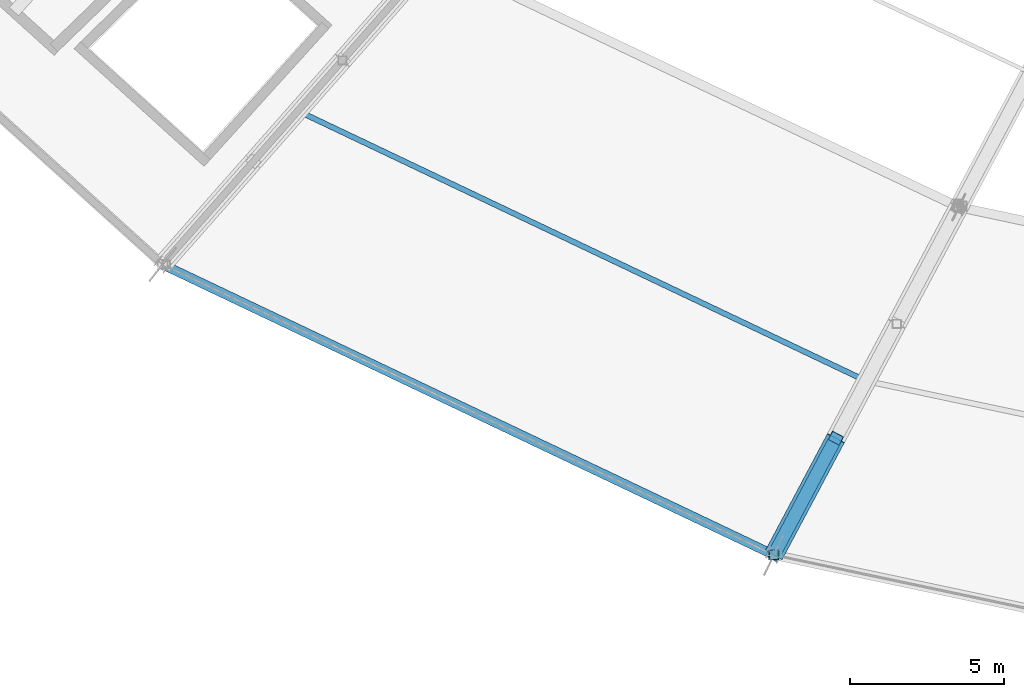
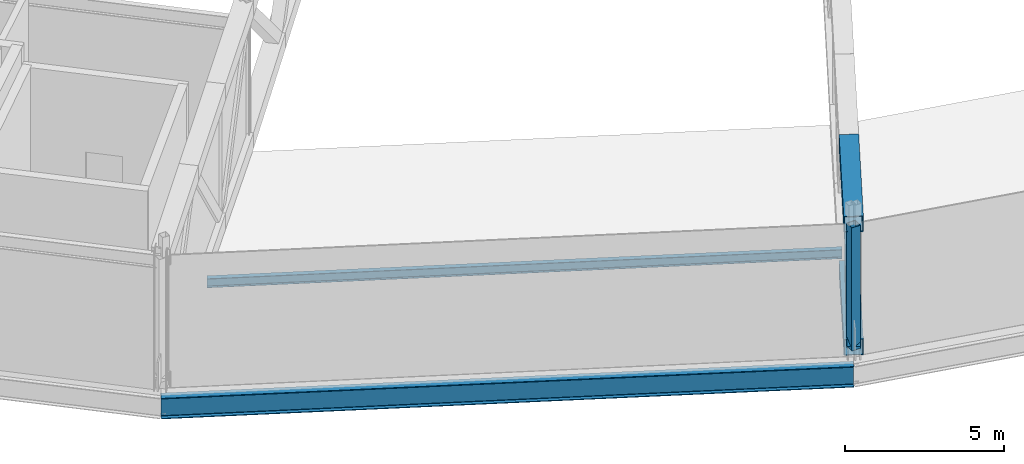
# One storey, part 15 of 162: 4 members, 2 beams.
"""IFC4 building model written with IfcOpenShell, lengths in metres."""

import ifcopenshell
import ifcopenshell.guid

model = None  # the IFC model being written
_history = None  # IfcOwnerHistory: only IFC2X3 demands one
_inside = {}  # id of a spatial element -> (the spatial element, [elements in it])
_under = {}  # id of a project, library or spatial element -> (it, [spatial elements below it])
_declared = {}  # id of a project -> (the project, [libraries it declares])
_typed = {}  # id of a type object -> (the type object, [elements of that type])
_made_of = {}  # id of a material, layer set ... -> (it, [elements and type objects made of it])


def new_model(schema):
    """Start an empty IFC model of exactly this schema.

    Asked for "IFC4X3", IfcOpenShell would pick the latest addendum, in which some entities
    have other attributes; the version numbers below select the first issue.
    IFC2X3 requires an IfcOwnerHistory on every rooted entity: one is made here for all.
    """
    global model, _history
    if schema == "IFC4X3":
        model = ifcopenshell.file(schema_version=(4, 3, 0, 0))
    else:
        model = ifcopenshell.file(schema=schema)
    _inside.clear()
    _under.clear()
    _declared.clear()
    _typed.clear()
    _made_of.clear()
    _history = None
    if model.schema == "IFC2X3":
        org = make("IfcOrganization", Name="unknown")
        user = make(
            "IfcPersonAndOrganization",
            ThePerson=make("IfcPerson", FamilyName="unknown"),
            TheOrganization=org,
        )
        app = make(
            "IfcApplication",
            ApplicationDeveloper=org,
            Version="unknown",
            ApplicationFullName="unknown",
            ApplicationIdentifier="unknown",
        )
        _history = make(
            "IfcOwnerHistory",
            OwningUser=user,
            OwningApplication=app,
            ChangeAction="ADDED",
            CreationDate=0,
        )
    return model


def make(cls, **values):
    """One entity of the class cls with the attributes given. An attribute that is None is left unset."""
    return model.create_entity(
        cls, **{name: value for name, value in values.items() if value is not None}
    )


def rooted(cls, **values):
    """An entity with a GlobalId (a new one), such as an element, a storey or a relation."""
    return make(cls, GlobalId=ifcopenshell.guid.new(), OwnerHistory=_history, **values)


def si_unit(unit_type, name, prefix=None):
    """IfcSIUnit, for example si_unit("LENGTHUNIT", "METRE", prefix="MILLI")."""
    return make("IfcSIUnit", UnitType=unit_type, Prefix=prefix, Name=name)


def assignment(units):
    """IfcUnitAssignment: the units of a project."""
    return None if units is None else make("IfcUnitAssignment", Units=units)


def point(xyz):
    """IfcCartesianPoint."""
    return None if xyz is None else make("IfcCartesianPoint", Coordinates=xyz)


def direction(xyz):
    """IfcDirection."""
    return None if xyz is None else make("IfcDirection", DirectionRatios=xyz)


def frame(location, z_axis=None, x_axis=None):
    """IfcAxis2Placement3D, a coordinate frame: its origin and axes. An axis left out is left unset."""
    return make(
        "IfcAxis2Placement3D",
        Location=point(location),
        Axis=direction(z_axis),
        RefDirection=direction(x_axis),
    )


def frame_2d(location, x_axis=None):
    """IfcAxis2Placement2D, a coordinate frame in the plane: its origin and x axis."""
    return make(
        "IfcAxis2Placement2D", Location=point(location), RefDirection=direction(x_axis)
    )


def origin():
    """The frame at (0, 0, 0) with its axes left unset."""
    return frame((0.0, 0.0, 0.0))


def origin_2d():
    """The frame at (0, 0) in the plane with its x axis left unset."""
    return frame_2d((0.0, 0.0))


def place(relative_to, where):
    """IfcLocalPlacement: puts the frame where relative to a parent placement (None: the world)."""
    return make(
        "IfcLocalPlacement", PlacementRelTo=relative_to, RelativePlacement=where
    )


def context(
    kind, dimensions, precision=None, world=None, true_north=None, identifier=None
):
    """IfcGeometricRepresentationContext, for example the 3D "Model" context."""
    return make(
        "IfcGeometricRepresentationContext",
        ContextIdentifier=identifier,
        ContextType=kind,
        CoordinateSpaceDimension=dimensions,
        Precision=precision,
        WorldCoordinateSystem=world,
        TrueNorth=true_north,
    )


def subcontext(parent, identifier, kind, view, scale=None):
    """IfcGeometricRepresentationSubContext, for example "Body" below "Model"."""
    return make(
        "IfcGeometricRepresentationSubContext",
        ContextIdentifier=identifier,
        ContextType=kind,
        ParentContext=parent,
        TargetScale=scale,
        TargetView=view,
    )


def project(units=None, contexts=None):
    """IfcProject with its units and contexts."""
    return rooted(
        "IfcProject",
        Name="project",
        RepresentationContexts=contexts,
        UnitsInContext=assignment(units),
    )


def spatial(cls, under=None, at=None, **own):
    """A site, building, storey or space (cls), placed at a placement, below another one or the project."""
    s = rooted(cls, ObjectPlacement=at, **own)
    if under is not None:
        _under.setdefault(under.id(), (under, []))[1].append(s)
    return s


def profile(cls, at=None, kind="AREA", **sizes):
    """A parametric profile (cls). Its sizes go by their IFC names, for example OverallWidth=200.0."""
    return make(cls, ProfileType=kind, Position=at, **sizes)


def hollow_rectangle(**sizes):
    """IfcRectangleHollowProfileDef."""
    return profile("IfcRectangleHollowProfileDef", **sizes)


def i_section(**sizes):
    """IfcIShapeProfileDef."""
    return profile("IfcIShapeProfileDef", **sizes)


def extrude(swept, where, along, depth):
    """IfcExtrudedAreaSolid: the profile swept, set in the frame where, extruded along a direction by depth."""
    return make(
        "IfcExtrudedAreaSolid",
        SweptArea=swept,
        Position=where,
        ExtrudedDirection=direction(along),
        Depth=depth,
    )


def shape(context_of_items, identifier, shape_type, items):
    """IfcShapeRepresentation: the items that make up one representation, for example the "Body"."""
    return make(
        "IfcShapeRepresentation",
        ContextOfItems=context_of_items,
        RepresentationIdentifier=identifier,
        RepresentationType=shape_type,
        Items=items,
    )


def material(Name=None, Category=None):
    """IfcMaterial."""
    return make("IfcMaterial", Name=Name, Category=Category)


def material_profile(
    of_material, cross_section, Name=None, Category=None, Priority=None
):
    """IfcMaterialProfile: a cross section and its material."""
    return make(
        "IfcMaterialProfile",
        Name=Name,
        Material=of_material,
        Profile=cross_section,
        Priority=Priority,
        Category=Category,
    )


def profile_set(profiles, Name=None, composite=None):
    """IfcMaterialProfileSet."""
    return make(
        "IfcMaterialProfileSet",
        Name=Name,
        MaterialProfiles=profiles,
        CompositeProfile=composite,
    )


def made_of(thing, what):
    """Note that an element or type object is made of a material, layer set ...; save() writes the relation."""
    if what is not None:
        _made_of.setdefault(what.id(), (what, []))[1].append(thing)
    return thing


def type_object(cls, material=None, **own):
    """A type object (cls), such as IfcWallType, which elements share."""
    return made_of(rooted(cls, **own), material)


def element(
    cls,
    number,
    at=None,
    inside=None,
    cuts=None,
    type_object=None,
    material=None,
    context=None,
    identifier="Body",
    shape_type=None,
    held_by="IfcProductDefinitionShape",
    body=None,
    shapes=None,
    **own,
):
    """One element of the class cls, such as IfcWall. Its Tag is "e" and its number.

    at: its placement. inside: the storey or other place that contains it. cuts: it is an
    opening in that element (IfcRelVoidsElement). A single representation is given by context,
    identifier, shape_type and body (its items); several are given by shapes. held_by: the class
    of the entity that holds the representations. save() writes the other relations.
    """
    e = rooted(cls, Tag="e%d" % number, ObjectPlacement=at, **own)
    if body is not None:
        shapes = [shape(context, identifier, shape_type, body)]
    if shapes is not None:
        e.Representation = make(held_by, Representations=shapes)
    if inside is not None:
        _inside.setdefault(inside.id(), (inside, []))[1].append(e)
    if cuts is not None:
        rooted(
            "IfcRelVoidsElement", RelatingBuildingElement=cuts, RelatedOpeningElement=e
        )
    if type_object is not None:
        _typed.setdefault(type_object.id(), (type_object, []))[1].append(e)
    return made_of(e, material)


def aggregate(whole, parts):
    """IfcRelAggregates: a whole, such as a stair, and the parts it consists of."""
    return rooted("IfcRelAggregates", RelatingObject=whole, RelatedObjects=parts)


def save(model, path):
    """Write the relations noted so far, then the file.

    IfcRelAggregates (storeys below a building ...), IfcRelContainedInSpatialStructure (elements
    in a storey), IfcRelDefinesByType, IfcRelAssociatesMaterial and IfcRelDeclares: one each for
    every whole, place, type object, material and project.
    """
    for whole, parts in _under.values():
        aggregate(whole, parts)
    for where, things in _inside.values():
        rooted(
            "IfcRelContainedInSpatialStructure",
            RelatedElements=things,
            RelatingStructure=where,
        )
    for kind, things in _typed.values():
        rooted("IfcRelDefinesByType", RelatedObjects=things, RelatingType=kind)
    for what, things in _made_of.values():
        rooted("IfcRelAssociatesMaterial", RelatedObjects=things, RelatingMaterial=what)
    for by, libraries in _declared.values():
        rooted("IfcRelDeclares", RelatingContext=by, RelatedDefinitions=libraries)
    model.write(path)


model = new_model("IFC4")

# Units and contexts
model_context = context("Model", 3, precision=1e-05, world=origin(), true_north=direction((0.0, 1.0)))
body_context = subcontext(model_context, "Body", "Model", "MODEL_VIEW")
ifc_project = project(units=[si_unit("LENGTHUNIT", "METRE"), si_unit("AREAUNIT", "SQUARE_METRE"), si_unit("VOLUMEUNIT", "CUBIC_METRE"), si_unit("PLANEANGLEUNIT", "RADIAN"), si_unit("MASSUNIT", "GRAM", prefix="KILO")], contexts=[model_context])

# Site, building, storey
site_placement = place(None, origin())
site = spatial("IfcSite", under=ifc_project, at=site_placement, CompositionType="ELEMENT")
building_placement = place(site_placement, origin())
building = spatial("IfcBuilding", under=site, at=building_placement, Name="Kazemori Nagisa Stadium", CompositionType="ELEMENT")
storey_placement = place(building_placement, frame((0.0, 0.0, 36.719970703125)))
storey = spatial("IfcBuildingStorey", under=building, at=storey_placement, Name="RF", CompositionType="ELEMENT", Elevation=36.719970703125)

# Beams
ifc_material_1 = material(Name="Steel SN490B", Category="steel")
ifc_material_profile_1 = material_profile(ifc_material_1, i_section(OverallWidth=0.300048828125, OverallDepth=0.800048828125, WebThickness=0.013916015625, FlangeThickness=0.02587890625, FilletRadius=0.01806640625, at=origin_2d()), Name="H-800x300x14x26")
ifc_profile_set_1 = profile_set([ifc_material_profile_1], Name="Steel SN490B")
beam_type_1 = type_object("IfcBeamType", Name="Beam_BG-H800", PredefinedType="BEAM", material=ifc_profile_set_1)
beam_1_placement = place(storey_placement, frame((60.402099609375, 30.94091796875, -0.679931640625), z_axis=(0.903215644095, -0.429187022475, 0.0), x_axis=(0.429187022475, 0.903215644095, 0.0)))
element("IfcBeam", 1, at=beam_1_placement, inside=storey, type_object=beam_type_1, Name="Roof compression ring beam BG-H800 R3-19", PredefinedType="BEAM", context=body_context, shape_type="SweptSolid", body=[
    extrude(i_section(OverallWidth=0.300048828125, OverallDepth=0.800048828125, WebThickness=0.013916015625, FlangeThickness=0.02587890625, FilletRadius=0.01806640625, at=origin_2d()), origin(), (0.0, 0.0, 1.0), 21.9140625),
])
ifc_material_profile_2 = material_profile(ifc_material_1, i_section(OverallWidth=0.175048828125, OverallDepth=0.35009765625, WebThickness=0.007080078125, FlangeThickness=0.010986328125, FilletRadius=0.012939453125, at=origin_2d()), Name="H-350x175x7x11")
ifc_profile_set_2 = profile_set([ifc_material_profile_2], Name="Steel SN490B")
beam_type_2 = type_object("IfcBeamType", Name="Beam_BJ-H350", PredefinedType="JOIST", material=ifc_profile_set_2)
beam_2_placement = place(storey_placement, frame((64.914794921875, 35.85302734375, -0.455078125), z_axis=(0.90321332486, -0.429191903228, 0.0), x_axis=(0.429191903228, 0.90321332486, 0.0)))
element("IfcBeam", 2, at=beam_2_placement, inside=storey, type_object=beam_type_2, Name="Outer bay joist BJ-H350 RF B19", PredefinedType="JOIST", context=body_context, shape_type="SweptSolid", body=[
    extrude(i_section(OverallWidth=0.175048828125, OverallDepth=0.35009765625, WebThickness=0.007080078125, FlangeThickness=0.010986328125, FilletRadius=0.012939453125, at=origin_2d()), origin(), (0.0, 0.0, 1.0), 20.09033203125),
])

# Members
ifc_material_2 = material(Name="Steel STKR490", Category="steel")
ifc_material_profile_3 = material_profile(ifc_material_2, hollow_rectangle(XDim=0.419921875, YDim=0.419921875, WallThickness=0.01611328125, at=origin_2d()), Name="SHS-420x420x16")
ifc_profile_set_3 = profile_set([ifc_material_profile_3], Name="Steel STKR490")
member_type_1 = type_object("IfcMemberType", Name="Member_TB-SHS420", PredefinedType="BRACE", material=ifc_profile_set_3)
member_1_placement = place(storey_placement, frame((80.1953125, 21.53564453125, 0.360107421875), z_axis=(0.309095104142, 0.581091293478, 0.752856643219), x_axis=(-0.882869875406, 0.46961769888, 0.0)))
element("IfcMember", 3, at=member_1_placement, inside=storey, type_object=member_type_1, Name="Roof space truss diagonal RT-20-1", PredefinedType="BRACE", context=body_context, shape_type="SweptSolid", body=[
    extrude(hollow_rectangle(XDim=0.419921875, YDim=0.419921875, WallThickness=0.01611328125, at=origin_2d()), origin(), (0.0, 0.0, 1.0), 6.50830078125),
])
ifc_material_profile_4 = material_profile(ifc_material_2, hollow_rectangle(XDim=0.6201171875, YDim=0.6201171875, WallThickness=0.02197265625, at=origin_2d()), Name="SHS-620x620x22")
ifc_profile_set_4 = profile_set([ifc_material_profile_4], Name="Steel STKR490")
member_type_2 = type_object("IfcMemberType", Name="Member_TC-SHS620", PredefinedType="CHORD", material=ifc_profile_set_4)
member_2_placement = place(storey_placement, frame((80.1953125, 21.53564453125, 5.10009765625), z_axis=(0.469290826717, 0.882255363674, 0.037304064502), x_axis=(-0.882869875406, 0.46961769888, 0.0)))
element("IfcMember", 4, at=member_2_placement, inside=storey, type_object=member_type_2, Name="Roof space truss top chord RT-20-1", PredefinedType="CHORD", context=body_context, shape_type="SweptSolid", body=[
    extrude(hollow_rectangle(XDim=0.6201171875, YDim=0.6201171875, WallThickness=0.02197265625, at=origin_2d()), origin(), (0.0, 0.0, 1.0), 4.28662109375),
])
member_3_placement = place(storey_placement, frame((80.1953125, 21.53564453125, 0.360107421875), z_axis=(0.469597186871, 0.882831313327, 0.009346351778), x_axis=(-0.882869875406, 0.46961769888, 0.0)))
element("IfcMember", 5, at=member_3_placement, inside=storey, type_object=member_type_2, Name="Roof space truss bottom chord RT-20-1", PredefinedType="CHORD", context=body_context, shape_type="SweptSolid", body=[
    extrude(hollow_rectangle(XDim=0.6201171875, YDim=0.6201171875, WallThickness=0.02197265625, at=origin_2d()), origin(), (0.0, 0.0, 1.0), 4.283935546875),
])
ifc_material_profile_5 = material_profile(ifc_material_2, hollow_rectangle(XDim=0.320068359375, YDim=0.320068359375, WallThickness=0.011962890625, at=origin_2d()), Name="SHS-320x320x12")
ifc_profile_set_5 = profile_set([ifc_material_profile_5], Name="Steel STKR490")
member_type_3 = type_object("IfcMemberType", Name="Member_TS-SHS320", PredefinedType="STRUT", material=ifc_profile_set_5)
member_4_placement = place(storey_placement, frame((80.1953125, 21.53564453125, 0.360107421875), z_axis=(0.0, 0.0, 1.0), x_axis=(1.0, 0.0, 0.0)))
element("IfcMember", 6, at=member_4_placement, inside=storey, type_object=member_type_3, Name="Roof space truss strut RT-20-1", PredefinedType="STRUT", context=body_context, shape_type="SweptSolid", body=[
    extrude(hollow_rectangle(XDim=0.320068359375, YDim=0.320068359375, WallThickness=0.011962890625, at=origin_2d()), origin(), (0.0, 0.0, 1.0), 4.739990234375),
])

save(model, "model.ifc")
